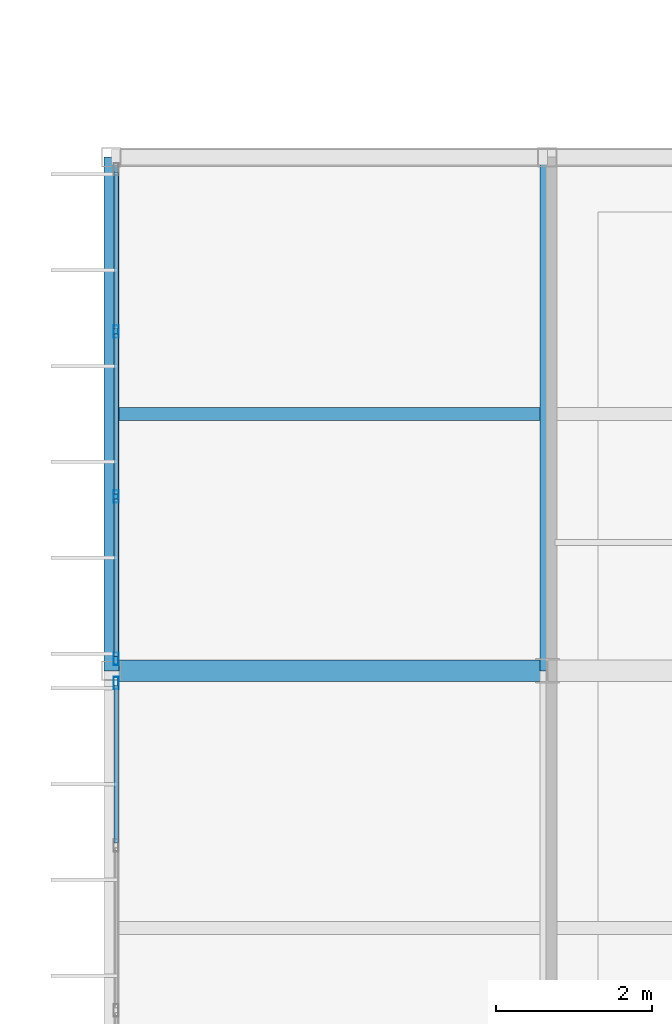
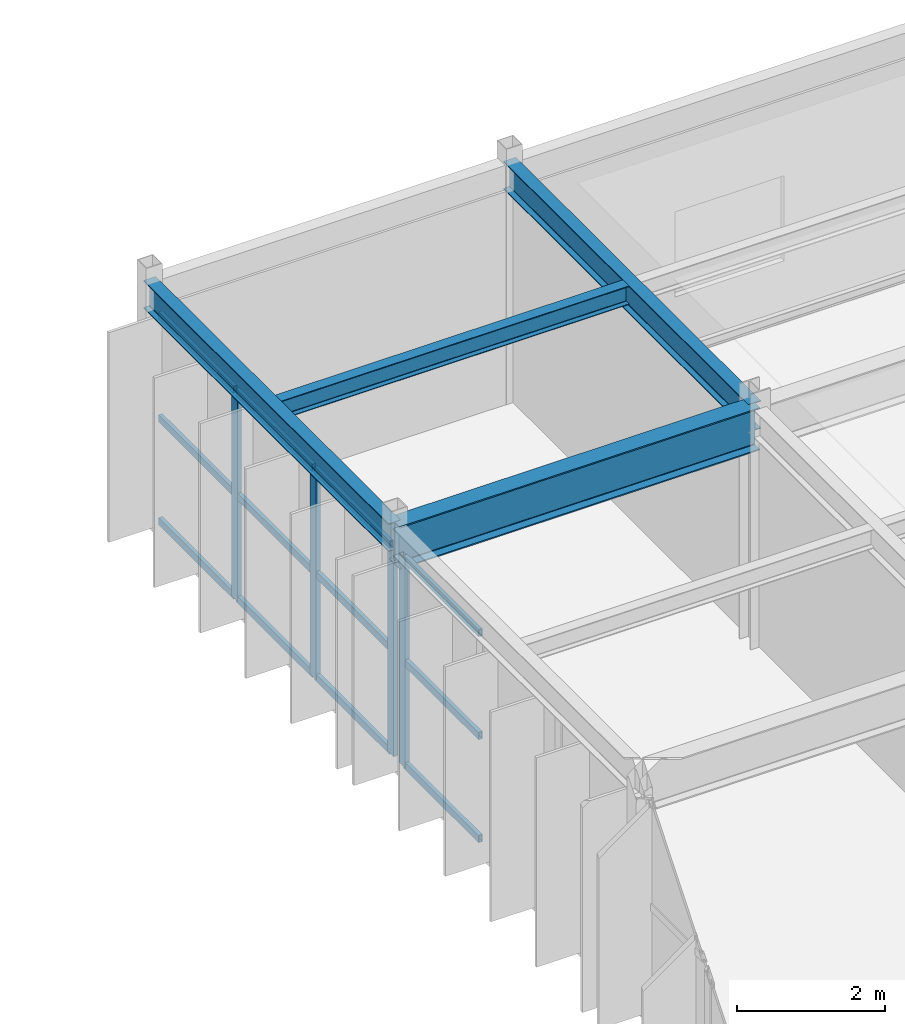
# One storey, part 67 of 148: 16 members, 4 beams, 2 elements without a shape of their own.
"""IFC4 building model written with IfcOpenShell, lengths in metres."""

from ifc_helpers import new_model, si_unit, direction, frame, origin, origin_2d, place, context, subcontext, project, spatial, hollow_rectangle, i_section, extrude, material, material_profile, profile_set, type_object, element, aggregate, save


model = new_model("IFC4")

# Units and contexts
model_context = context("Model", 3, precision=1e-05, world=origin(), true_north=direction((0.0, 1.0)))
body_context = subcontext(model_context, "Body", "Model", "MODEL_VIEW")
ifc_project = project(units=[si_unit("LENGTHUNIT", "METRE"), si_unit("AREAUNIT", "SQUARE_METRE"), si_unit("VOLUMEUNIT", "CUBIC_METRE"), si_unit("PLANEANGLEUNIT", "RADIAN"), si_unit("MASSUNIT", "GRAM", prefix="KILO")], contexts=[model_context])

# Site, building, storey
site_placement = place(None, origin())
site = spatial("IfcSite", under=ifc_project, at=site_placement, CompositionType="ELEMENT")
building_placement = place(site_placement, origin())
building = spatial("IfcBuilding", under=site, at=building_placement, Name="Karori Crest Natural Sciences Institute", CompositionType="ELEMENT")
storey_placement = place(building_placement, frame((0.0, 0.0, 4.89990234375)))
storey = spatial("IfcBuildingStorey", under=building, at=storey_placement, Name="L01", CompositionType="ELEMENT", Elevation=4.89990234375)

# Beams
ifc_material_1 = material(Name="Structural steel AS/NZS 3679.1 Grade 350", Category="steel")
ifc_material_profile_1 = material_profile(ifc_material_1, i_section(OverallWidth=0.27490234375, OverallDepth=0.699951171875, WebThickness=0.010009765625, FlangeThickness=0.02001953125, FilletRadius=0.013916015625, at=origin_2d()), Name="700WB150")
ifc_profile_set_1 = profile_set([ifc_material_profile_1], Name="Structural steel AS/NZS 3679.1 Grade 350")
beam_type_1 = type_object("IfcBeamType", Name="BT-03", PredefinedType="BEAM", material=ifc_profile_set_1)
beam_1_placement = place(storey_placement, frame((1.800048828125, 66.800048828125, 3.570068359375), z_axis=(1.0, 0.0, 0.0), x_axis=(0.0, 1.0, 0.0)))
element("IfcBeam", 1, at=beam_1_placement, inside=storey, type_object=beam_type_1, Name="Beam B-1022", PredefinedType="BEAM", context=body_context, shape_type="SweptSolid", body=[
    extrude(i_section(OverallWidth=0.27490234375, OverallDepth=0.699951171875, WebThickness=0.010009765625, FlangeThickness=0.02001953125, FilletRadius=0.013916015625, at=origin_2d()), origin(), (0.0, 0.0, 1.0), 5.599853515625),
])
ifc_material_profile_2 = material_profile(ifc_material_1, i_section(OverallWidth=0.19091796875, OverallDepth=0.4599609375, WebThickness=0.010009765625, FlangeThickness=0.01611328125, FilletRadius=0.010986328125, at=origin_2d()), Name="460UB82.1")
ifc_profile_set_2 = profile_set([ifc_material_profile_2], Name="Structural steel AS/NZS 3679.1 Grade 350")
beam_type_2 = type_object("IfcBeamType", Name="BT-06", PredefinedType="BEAM", material=ifc_profile_set_2)
beam_2_placement = place(storey_placement, frame((7.39990234375, 66.800048828125, 3.690185546875), z_axis=(0.0, 1.0, 0.0), x_axis=(-1.0, 0.0, 0.0)))
element("IfcBeam", 2, at=beam_2_placement, inside=storey, type_object=beam_type_2, Name="Beam B-1041", PredefinedType="BEAM", context=body_context, shape_type="SweptSolid", body=[
    extrude(i_section(OverallWidth=0.19091796875, OverallDepth=0.4599609375, WebThickness=0.010009765625, FlangeThickness=0.01611328125, FilletRadius=0.010986328125, at=origin_2d()), origin(), (0.0, 0.0, 1.0), 6.599853515625),
])
ifc_material_profile_3 = material_profile(ifc_material_1, i_section(OverallWidth=0.19091796875, OverallDepth=0.4599609375, WebThickness=0.010009765625, FlangeThickness=0.01611328125, FilletRadius=0.010986328125, at=origin_2d()), Name="460UB82.1")
ifc_profile_set_3 = profile_set([ifc_material_profile_3], Name="Structural steel AS/NZS 3679.1 Grade 350")
beam_type_3 = type_object("IfcBeamType", Name="BT-06-EL", PredefinedType="BEAM", material=ifc_profile_set_3)
beam_3_placement = place(storey_placement, frame((1.800048828125, 66.800048828125, 3.690185546875), z_axis=(0.0, 1.0, 0.0), x_axis=(-1.0, 0.0, 0.0)))
element("IfcBeam", 3, at=beam_3_placement, inside=storey, type_object=beam_type_3, Name="Beam B-1034", PredefinedType="BEAM", context=body_context, shape_type="SweptSolid", body=[
    extrude(i_section(OverallWidth=0.19091796875, OverallDepth=0.4599609375, WebThickness=0.010009765625, FlangeThickness=0.01611328125, FilletRadius=0.010986328125, at=origin_2d()), origin(), (0.0, 0.0, 1.0), 6.599853515625),
])
ifc_material_profile_4 = material_profile(ifc_material_1, i_section(OverallWidth=0.166015625, OverallDepth=0.306884765625, WebThickness=0.006591796875, FlangeThickness=0.01171875, FilletRadius=0.010986328125, at=origin_2d()), Name="310UB46.2")
ifc_profile_set_4 = profile_set([ifc_material_profile_4], Name="Structural steel AS/NZS 3679.1 Grade 350")
beam_type_4 = type_object("IfcBeamType", Name="BT-09", PredefinedType="BEAM", material=ifc_profile_set_4)
beam_4_placement = place(storey_placement, frame((1.8955078125, 70.10009765625, 3.7666015625), z_axis=(1.0, 0.0, 0.0), x_axis=(0.0, 1.0, 0.0)))
element("IfcBeam", 4, at=beam_4_placement, inside=storey, type_object=beam_type_4, Name="Beam B-1060", PredefinedType="BEAM", context=body_context, shape_type="SweptSolid", body=[
    extrude(i_section(OverallWidth=0.166015625, OverallDepth=0.306884765625, WebThickness=0.006591796875, FlangeThickness=0.01171875, FilletRadius=0.010986328125, at=origin_2d()), origin(), (0.0, 0.0, 1.0), 5.408935546875),
])

# Curtain wall, member
ifc_material_2 = material(Name="Anodised architectural aluminium 6063-T6", Category="aluminium")
curtain_wall_type = type_object("IfcCurtainWallType", Name="CWT-17", PredefinedType="NOTDEFINED", material=ifc_material_2)
curtain_wall_1_placement = place(storey_placement, origin())
curtain_wall_1 = element("IfcCurtainWall", 5, at=curtain_wall_1_placement, inside=storey, type_object=curtain_wall_type, Name="Curtain wall CW-0265", PredefinedType="NOTDEFINED")
ifc_material_profile_5 = material_profile(ifc_material_2, hollow_rectangle(XDim=0.06494140625, YDim=0.159912109375, WallThickness=0.00390625, at=origin_2d()), Name="CWM160x65x4")
ifc_profile_set_5 = profile_set([ifc_material_profile_5], Name="Anodised architectural aluminium 6063-T6")
member_type_1 = type_object("IfcMemberType", Name="CWM-01", PredefinedType="MULLION", material=ifc_profile_set_5)
member_1_placement = place(storey_placement, frame((1.860107421875, 66.64453125, 0.0), z_axis=(0.0, 0.0, 1.0), x_axis=(-1.0, 0.0, 0.0)))
member_1 = element("IfcMember", 6, at=member_1_placement, type_object=member_type_1, Name="CW-0265 mullion 4", PredefinedType="MULLION", context=body_context, shape_type="SweptSolid", body=[
    extrude(hollow_rectangle(XDim=0.06494140625, YDim=0.159912109375, WallThickness=0.00390625, at=origin_2d()), origin(), (0.0, 0.0, 1.0), 3.445068359375),
])

# Curtain wall, members
curtain_wall_2_placement = place(storey_placement, origin())
curtain_wall_2 = element("IfcCurtainWall", 7, at=curtain_wall_2_placement, inside=storey, type_object=curtain_wall_type, Name="Curtain wall CW-0266", PredefinedType="NOTDEFINED")
member_2_placement = place(storey_placement, frame((1.860107421875, 66.95556640625, 0.0), z_axis=(0.0, 0.0, 1.0), x_axis=(-1.0, 0.0, 0.0)))
member_2 = element("IfcMember", 8, at=member_2_placement, type_object=member_type_1, Name="CW-0266 mullion 1", PredefinedType="MULLION", context=body_context, shape_type="SweptSolid", body=[
    extrude(hollow_rectangle(XDim=0.06494140625, YDim=0.159912109375, WallThickness=0.00390625, at=origin_2d()), origin(), (0.0, 0.0, 1.0), 3.445068359375),
])
member_3_placement = place(storey_placement, frame((1.860107421875, 69.041015625, 0.0), z_axis=(0.0, 0.0, 1.0), x_axis=(-1.0, 0.0, 0.0)))
member_3 = element("IfcMember", 9, at=member_3_placement, type_object=member_type_1, Name="CW-0266 mullion 2", PredefinedType="MULLION", context=body_context, shape_type="SweptSolid", body=[
    extrude(hollow_rectangle(XDim=0.06494140625, YDim=0.159912109375, WallThickness=0.00390625, at=origin_2d()), origin(), (0.0, 0.0, 1.0), 3.445068359375),
])
member_4_placement = place(storey_placement, frame((1.860107421875, 71.158935546875, 0.0), z_axis=(0.0, 0.0, 1.0), x_axis=(-1.0, 0.0, 0.0)))
member_4 = element("IfcMember", 10, at=member_4_placement, type_object=member_type_1, Name="CW-0266 mullion 3", PredefinedType="MULLION", context=body_context, shape_type="SweptSolid", body=[
    extrude(hollow_rectangle(XDim=0.06494140625, YDim=0.159912109375, WallThickness=0.00390625, at=origin_2d()), origin(), (0.0, 0.0, 1.0), 3.445068359375),
])

# Member
ifc_material_profile_6 = material_profile(ifc_material_2, hollow_rectangle(XDim=0.06005859375, YDim=0.1201171875, WallThickness=0.00390625, at=origin_2d()), Name="CWT120x60x4")
ifc_profile_set_6 = profile_set([ifc_material_profile_6], Name="Anodised architectural aluminium 6063-T6")
member_type_2 = type_object("IfcMemberType", Name="CWT-TR1", PredefinedType="USERDEFINED", material=ifc_profile_set_6)
member_5_placement = place(storey_placement, frame((1.860107421875, 64.591552734375, 0.030029296875), z_axis=(0.0, 1.0, 0.0), x_axis=(-1.0, 0.0, 0.0)))
member_5 = element("IfcMember", 11, at=member_5_placement, type_object=member_type_2, Name="CW-0265 transom 3.1", ObjectType="TRANSOM", PredefinedType="USERDEFINED", context=body_context, shape_type="SweptSolid", body=[
    extrude(hollow_rectangle(XDim=0.06005859375, YDim=0.1201171875, WallThickness=0.00390625, at=origin_2d()), origin(), (0.0, 0.0, 1.0), 2.0205078125),
])

member_6_placement = place(storey_placement, frame((1.860107421875, 64.591552734375, 1.72265625), z_axis=(0.0, 1.0, 0.0), x_axis=(-1.0, 0.0, 0.0)))
member_6 = element("IfcMember", 12, at=member_6_placement, type_object=member_type_2, Name="CW-0265 transom 3.2", ObjectType="TRANSOM", PredefinedType="USERDEFINED", context=body_context, shape_type="SweptSolid", body=[
    extrude(hollow_rectangle(XDim=0.06005859375, YDim=0.1201171875, WallThickness=0.00390625, at=origin_2d()), origin(), (0.0, 0.0, 1.0), 2.0205078125),
])

member_7_placement = place(storey_placement, frame((1.860107421875, 64.591552734375, 3.4150390625), z_axis=(0.0, 1.0, 0.0), x_axis=(-1.0, 0.0, 0.0)))
member_7 = element("IfcMember", 13, at=member_7_placement, type_object=member_type_2, Name="CW-0265 transom 3.3", ObjectType="TRANSOM", PredefinedType="USERDEFINED", context=body_context, shape_type="SweptSolid", body=[
    extrude(hollow_rectangle(XDim=0.06005859375, YDim=0.1201171875, WallThickness=0.00390625, at=origin_2d()), origin(), (0.0, 0.0, 1.0), 2.0205078125),
])

aggregate(curtain_wall_1, [member_1, member_5, member_6, member_7])

member_8_placement = place(storey_placement, frame((1.860107421875, 66.988037109375, 0.030029296875), z_axis=(0.0, 1.0, 0.0), x_axis=(-1.0, 0.0, 0.0)))
member_8 = element("IfcMember", 14, at=member_8_placement, type_object=member_type_2, Name="CW-0266 transom 1.1", ObjectType="TRANSOM", PredefinedType="USERDEFINED", context=body_context, shape_type="SweptSolid", body=[
    extrude(hollow_rectangle(XDim=0.06005859375, YDim=0.1201171875, WallThickness=0.00390625, at=origin_2d()), origin(), (0.0, 0.0, 1.0), 2.0205078125),
])

member_9_placement = place(storey_placement, frame((1.860107421875, 66.988037109375, 1.72265625), z_axis=(0.0, 1.0, 0.0), x_axis=(-1.0, 0.0, 0.0)))
member_9 = element("IfcMember", 15, at=member_9_placement, type_object=member_type_2, Name="CW-0266 transom 1.2", ObjectType="TRANSOM", PredefinedType="USERDEFINED", context=body_context, shape_type="SweptSolid", body=[
    extrude(hollow_rectangle(XDim=0.06005859375, YDim=0.1201171875, WallThickness=0.00390625, at=origin_2d()), origin(), (0.0, 0.0, 1.0), 2.0205078125),
])

member_10_placement = place(storey_placement, frame((1.860107421875, 66.988037109375, 3.4150390625), z_axis=(0.0, 1.0, 0.0), x_axis=(-1.0, 0.0, 0.0)))
member_10 = element("IfcMember", 16, at=member_10_placement, type_object=member_type_2, Name="CW-0266 transom 1.3", ObjectType="TRANSOM", PredefinedType="USERDEFINED", context=body_context, shape_type="SweptSolid", body=[
    extrude(hollow_rectangle(XDim=0.06005859375, YDim=0.1201171875, WallThickness=0.00390625, at=origin_2d()), origin(), (0.0, 0.0, 1.0), 2.0205078125),
])

member_11_placement = place(storey_placement, frame((1.860107421875, 69.073486328125, 0.030029296875), z_axis=(0.0, 1.0, 0.0), x_axis=(-1.0, 0.0, 0.0)))
member_11 = element("IfcMember", 17, at=member_11_placement, type_object=member_type_2, Name="CW-0266 transom 2.1", ObjectType="TRANSOM", PredefinedType="USERDEFINED", context=body_context, shape_type="SweptSolid", body=[
    extrude(hollow_rectangle(XDim=0.06005859375, YDim=0.1201171875, WallThickness=0.00390625, at=origin_2d()), origin(), (0.0, 0.0, 1.0), 2.052978515625),
])

member_12_placement = place(storey_placement, frame((1.860107421875, 69.073486328125, 1.72265625), z_axis=(0.0, 1.0, 0.0), x_axis=(-1.0, 0.0, 0.0)))
member_12 = element("IfcMember", 18, at=member_12_placement, type_object=member_type_2, Name="CW-0266 transom 2.2", ObjectType="TRANSOM", PredefinedType="USERDEFINED", context=body_context, shape_type="SweptSolid", body=[
    extrude(hollow_rectangle(XDim=0.06005859375, YDim=0.1201171875, WallThickness=0.00390625, at=origin_2d()), origin(), (0.0, 0.0, 1.0), 2.052978515625),
])

member_13_placement = place(storey_placement, frame((1.860107421875, 69.073486328125, 3.4150390625), z_axis=(0.0, 1.0, 0.0), x_axis=(-1.0, 0.0, 0.0)))
member_13 = element("IfcMember", 19, at=member_13_placement, type_object=member_type_2, Name="CW-0266 transom 2.3", ObjectType="TRANSOM", PredefinedType="USERDEFINED", context=body_context, shape_type="SweptSolid", body=[
    extrude(hollow_rectangle(XDim=0.06005859375, YDim=0.1201171875, WallThickness=0.00390625, at=origin_2d()), origin(), (0.0, 0.0, 1.0), 2.052978515625),
])

member_14_placement = place(storey_placement, frame((1.860107421875, 71.19140625, 0.030029296875), z_axis=(0.0, 1.0, 0.0), x_axis=(-1.0, 0.0, 0.0)))
member_14 = element("IfcMember", 20, at=member_14_placement, type_object=member_type_2, Name="CW-0266 transom 3.1", ObjectType="TRANSOM", PredefinedType="USERDEFINED", context=body_context, shape_type="SweptSolid", body=[
    extrude(hollow_rectangle(XDim=0.06005859375, YDim=0.1201171875, WallThickness=0.00390625, at=origin_2d()), origin(), (0.0, 0.0, 1.0), 2.0205078125),
])

member_15_placement = place(storey_placement, frame((1.860107421875, 71.19140625, 1.72265625), z_axis=(0.0, 1.0, 0.0), x_axis=(-1.0, 0.0, 0.0)))
member_15 = element("IfcMember", 21, at=member_15_placement, type_object=member_type_2, Name="CW-0266 transom 3.2", ObjectType="TRANSOM", PredefinedType="USERDEFINED", context=body_context, shape_type="SweptSolid", body=[
    extrude(hollow_rectangle(XDim=0.06005859375, YDim=0.1201171875, WallThickness=0.00390625, at=origin_2d()), origin(), (0.0, 0.0, 1.0), 2.0205078125),
])

member_16_placement = place(storey_placement, frame((1.860107421875, 71.19140625, 3.4150390625), z_axis=(0.0, 1.0, 0.0), x_axis=(-1.0, 0.0, 0.0)))
member_16 = element("IfcMember", 22, at=member_16_placement, type_object=member_type_2, Name="CW-0266 transom 3.3", ObjectType="TRANSOM", PredefinedType="USERDEFINED", context=body_context, shape_type="SweptSolid", body=[
    extrude(hollow_rectangle(XDim=0.06005859375, YDim=0.1201171875, WallThickness=0.00390625, at=origin_2d()), origin(), (0.0, 0.0, 1.0), 2.0205078125),
])

aggregate(curtain_wall_2, [member_2, member_3, member_4, member_8, member_9, member_10, member_11, member_12, member_13, member_14, member_15, member_16])

save(model, "model.ifc")
